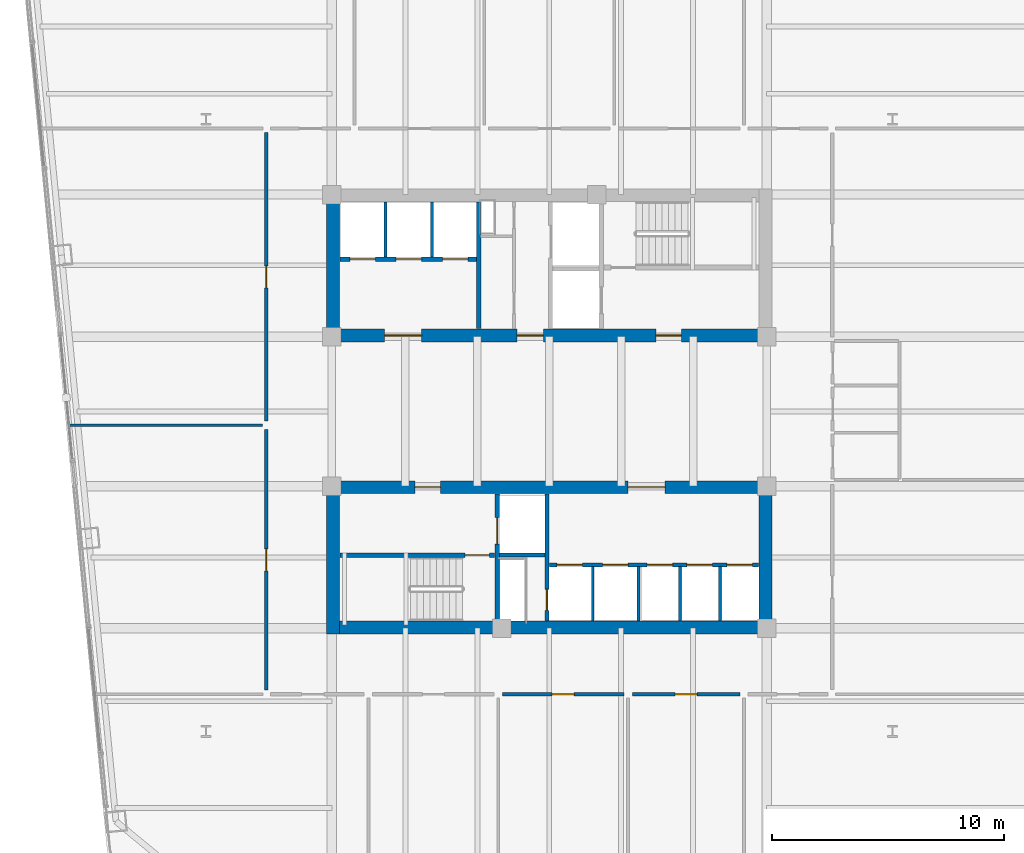
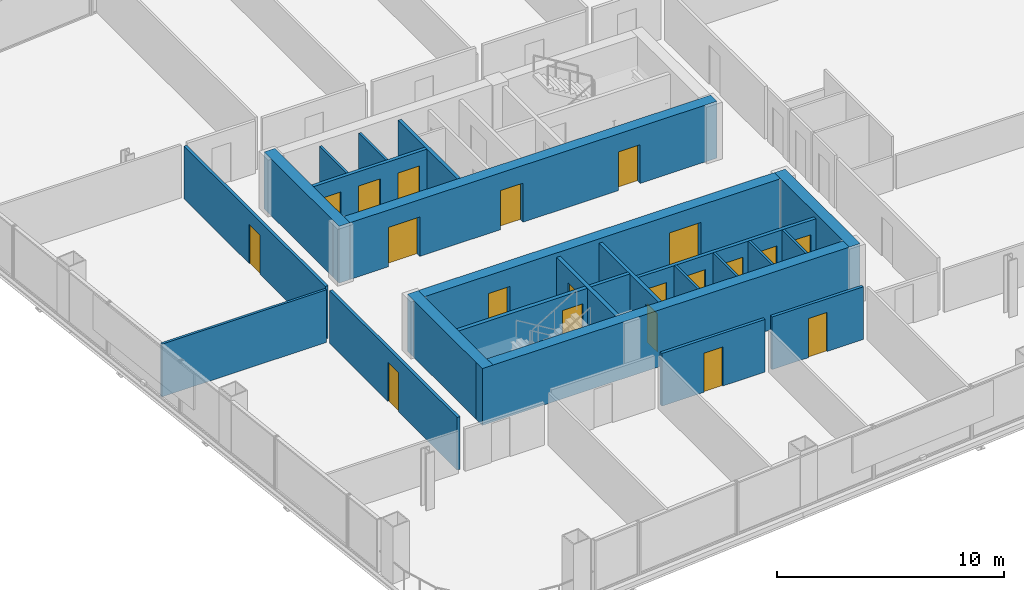
# One storey, part 22 of 27: 24 walls, 20 doors, 20 openings.
"""IFC4 building model written with IfcOpenShell, lengths in metres."""

from ifc_helpers import new_model, si_unit, direction, frame, frame_2d, origin, place, context, subcontext, project, spatial, rectangle, extrude, material, layer, layer_set, type_object, element, fill, save


model = new_model("IFC4")

# Units and contexts
model_context = context("Model", 3, precision=1e-05, world=origin(), true_north=direction((0.0, 1.0)))
body_context = subcontext(model_context, "Body", "Model", "MODEL_VIEW")
ifc_project = project(units=[si_unit("LENGTHUNIT", "METRE"), si_unit("AREAUNIT", "SQUARE_METRE"), si_unit("VOLUMEUNIT", "CUBIC_METRE"), si_unit("PLANEANGLEUNIT", "RADIAN"), si_unit("MASSUNIT", "GRAM", prefix="KILO")], contexts=[model_context])

# Site, building, storey
site_placement = place(None, origin())
site = spatial("IfcSite", under=ifc_project, at=site_placement, CompositionType="ELEMENT")
building_placement = place(site_placement, origin())
building = spatial("IfcBuilding", under=site, at=building_placement, Name="Qhalaya Broadcast Tower", CompositionType="ELEMENT")
storey_placement = place(building_placement, frame((0.0, 0.0, 84.699951171875)))
storey = spatial("IfcBuildingStorey", under=building, at=storey_placement, Name="L24", CompositionType="ELEMENT", Elevation=84.699951171875)

# Wall, opening, door
ifc_material_1 = material(Name="Gypsum Acoustic Partition")
ifc_layer_1 = layer(ifc_material_1, 0.14990234375, Name="Gypsum Acoustic Partition")
ifc_layer_set_1 = layer_set([ifc_layer_1], Name="Gypsum Acoustic Partition")
wall_type_1 = type_object("IfcWallType", Name="Corridor & Tenancy Acoustic Partition 150", PredefinedType="PARTITIONING", material=ifc_layer_set_1)
wall_1_placement = place(storey_placement, frame((-2.02001953125, -11.60009765625, 0.0), z_axis=(0.0, 0.0, 1.0), x_axis=(1.0, 0.0, 0.0)))
wall_1 = element("IfcWall", 1, at=wall_1_placement, inside=storey, type_object=wall_type_1, Name="L24 Partition Wall W-COR-08", PredefinedType="PARTITIONING", context=body_context, shape_type="SweptSolid", body=[
    extrude(rectangle(XDim=5.239990234375, YDim=0.14990234375, at=frame_2d((2.6201171875, 0.0))), origin(), (0.0, 0.0, 1.0), 2.830078125),
])
opening_1_placement = place(wall_1_placement, frame((2.14501953125, 0.0, 0.0)))
opening_1 = element("IfcOpeningElement", 2, at=opening_1_placement, cuts=wall_1, Name="Opening D10", PredefinedType="OPENING", context=body_context, shape_type="SweptSolid", body=[
    extrude(rectangle(XDim=0.949951171875, YDim=2.10009765625, at=frame_2d((0.47509765625, 1.050048828125))), frame((0.0, 0.0869140625, 0.0), z_axis=(0.0, -1.0, 0.0), x_axis=(1.0, 0.0, 0.0)), (0.0, 0.0, 1.0), 0.173828125),
])
ifc_material_2 = material(Name="Timber Veneer Acoustic Door", Category="wood")
door_type_1 = type_object("IfcDoorType", Name="Cellular Office & Edit Booth Door D10", OperationType="NOTDEFINED", PredefinedType="DOOR", material=ifc_material_2)
door_1_placement = place(opening_1_placement, origin())
door_1 = element("IfcDoor", 3, at=door_1_placement, inside=storey, type_object=door_type_1, Name="L24 Door D-RM08", OperationType="SINGLE_SWING_LEFT", OverallHeight=2.10009765625, OverallWidth=0.949951171875, PredefinedType="DOOR", context=body_context, shape_type="SweptSolid", body=[
    extrude(rectangle(XDim=0.949951171875, YDim=2.10009765625, at=frame_2d((0.47509765625, 1.050048828125))), frame((0.0, 0.02490234375, 0.0), z_axis=(0.0, -1.0, 0.0), x_axis=(1.0, 0.0, 0.0)), (0.0, 0.0, 1.0), 0.050048828125),
])
fill(opening_1, door_1)

wall_2_placement = place(storey_placement, frame((3.580078125, -11.60009765625, 0.0), z_axis=(0.0, 0.0, 1.0), x_axis=(1.0, 0.0, 0.0)))
wall_2 = element("IfcWall", 4, at=wall_2_placement, inside=storey, type_object=wall_type_1, Name="L24 Partition Wall W-COR-09", PredefinedType="PARTITIONING", context=body_context, shape_type="SweptSolid", body=[
    extrude(rectangle(XDim=4.639892578125, YDim=0.14990234375, at=frame_2d((2.31982421875, 0.0))), origin(), (0.0, 0.0, 1.0), 2.830078125),
])
opening_2_placement = place(wall_2_placement, frame((1.844970703125, 0.0, 0.0)))
opening_2 = element("IfcOpeningElement", 5, at=opening_2_placement, cuts=wall_2, Name="Opening D10", PredefinedType="OPENING", context=body_context, shape_type="SweptSolid", body=[
    extrude(rectangle(XDim=0.949951171875, YDim=2.10009765625, at=frame_2d((0.47509765625, 1.050048828125))), frame((0.0, 0.0869140625, 0.0), z_axis=(0.0, -1.0, 0.0), x_axis=(1.0, 0.0, 0.0)), (0.0, 0.0, 1.0), 0.173828125),
])
door_2_placement = place(opening_2_placement, origin())
door_2 = element("IfcDoor", 6, at=door_2_placement, inside=storey, type_object=door_type_1, Name="L24 Door D-RM09", OperationType="SINGLE_SWING_RIGHT", OverallHeight=2.10009765625, OverallWidth=0.949951171875, PredefinedType="DOOR", context=body_context, shape_type="SweptSolid", body=[
    extrude(rectangle(XDim=0.949951171875, YDim=2.10009765625, at=frame_2d((0.47509765625, 1.050048828125))), frame((0.0, 0.02490234375, 0.0), z_axis=(0.0, -1.0, 0.0), x_axis=(1.0, 0.0, 0.0)), (0.0, 0.0, 1.0), 0.050048828125),
])
fill(opening_2, door_2)

wall_3_placement = place(storey_placement, frame((-12.199951171875, -11.419921875, 0.0), z_axis=(0.0, 0.0, 1.0), x_axis=(0.0, 1.0, 0.0)))
wall_3 = element("IfcWall", 7, at=wall_3_placement, inside=storey, type_object=wall_type_1, Name="L24 Partition Wall W-COR-11", PredefinedType="PARTITIONING", context=body_context, shape_type="SweptSolid", body=[
    extrude(rectangle(XDim=11.239990234375, YDim=0.14990234375, at=frame_2d((5.6201171875, 0.0))), origin(), (0.0, 0.0, 1.0), 2.830078125),
])
opening_3_placement = place(wall_3_placement, frame((5.14501953125, 0.0, 0.0)))
opening_3 = element("IfcOpeningElement", 8, at=opening_3_placement, cuts=wall_3, Name="Opening D10", PredefinedType="OPENING", context=body_context, shape_type="SweptSolid", body=[
    extrude(rectangle(XDim=0.949951171875, YDim=2.10009765625, at=frame_2d((0.47509765625, 1.050048828125))), frame((0.0, 0.0869140625, 0.0), z_axis=(0.0, -1.0, 0.0), x_axis=(1.0, 0.0, 0.0)), (0.0, 0.0, 1.0), 0.173828125),
])
door_3_placement = place(opening_3_placement, origin())
door_3 = element("IfcDoor", 9, at=door_3_placement, inside=storey, type_object=door_type_1, Name="L24 Door D-RM11", OperationType="SINGLE_SWING_RIGHT", OverallHeight=2.10009765625, OverallWidth=0.949951171875, PredefinedType="DOOR", context=body_context, shape_type="SweptSolid", body=[
    extrude(rectangle(XDim=0.949951171875, YDim=2.10009765625, at=frame_2d((0.47509765625, 1.050048828125))), frame((0.0, 0.02490234375, 0.0), z_axis=(0.0, -1.0, 0.0), x_axis=(1.0, 0.0, 0.0)), (0.0, 0.0, 1.0), 0.050048828125),
])
fill(opening_3, door_3)

wall_4_placement = place(storey_placement, frame((-12.199951171875, 0.179931640625, 0.0), z_axis=(0.0, 0.0, 1.0), x_axis=(0.0, 1.0, 0.0)))
wall_4 = element("IfcWall", 10, at=wall_4_placement, inside=storey, type_object=wall_type_1, Name="L24 Partition Wall W-COR-12", PredefinedType="PARTITIONING", context=body_context, shape_type="SweptSolid", body=[
    extrude(rectangle(XDim=12.440185546875, YDim=0.14990234375, at=frame_2d((6.22021484375, 0.0))), origin(), (0.0, 0.0, 1.0), 2.830078125),
])
opening_4_placement = place(wall_4_placement, frame((5.7451171875, 0.0, 0.0)))
opening_4 = element("IfcOpeningElement", 11, at=opening_4_placement, cuts=wall_4, Name="Opening D10", PredefinedType="OPENING", context=body_context, shape_type="SweptSolid", body=[
    extrude(rectangle(XDim=0.949951171875, YDim=2.10009765625, at=frame_2d((0.47509765625, 1.050048828125))), frame((0.0, 0.0869140625, 0.0), z_axis=(0.0, -1.0, 0.0), x_axis=(1.0, 0.0, 0.0)), (0.0, 0.0, 1.0), 0.173828125),
])
door_4_placement = place(opening_4_placement, origin())
door_4 = element("IfcDoor", 12, at=door_4_placement, inside=storey, type_object=door_type_1, Name="L24 Door D-RM12", OperationType="SINGLE_SWING_LEFT", OverallHeight=2.10009765625, OverallWidth=0.949951171875, PredefinedType="DOOR", context=body_context, shape_type="SweptSolid", body=[
    extrude(rectangle(XDim=0.949951171875, YDim=2.10009765625, at=frame_2d((0.47509765625, 1.050048828125))), frame((0.0, 0.02490234375, 0.0), z_axis=(0.0, -1.0, 0.0), x_axis=(1.0, 0.0, 0.0)), (0.0, 0.0, 1.0), 0.050048828125),
])
fill(opening_4, door_4)

ifc_material_3 = material(Name="Concrete C50/60", Category="concrete")
ifc_layer_2 = layer(ifc_material_3, 0.199951171875, Name="Concrete C50/60")
ifc_layer_set_2 = layer_set([ifc_layer_2], Name="Concrete C50/60")
wall_type_2 = type_object("IfcWallType", Name="Load-Bearing Stair Shaft Wall 200", PredefinedType="SHEAR", material=ifc_layer_set_2)
wall_5_placement = place(storey_placement, frame((-9.030029296875, -5.60498046875, 0.0), z_axis=(0.0, 0.0, 1.0), x_axis=(1.0, 0.0, 0.0)))
wall_5 = element("IfcWall", 13, at=wall_5_placement, inside=storey, type_object=wall_type_2, Name="L24 Stair Core Shear Wall SCW-ST2", PredefinedType="SHEAR", context=body_context, shape_type="SweptSolid", body=[
    extrude(rectangle(XDim=6.669921875, YDim=0.199951171875, at=frame_2d((3.3349609375, 0.0))), origin(), (0.0, 0.0, 1.0), 2.830078125),
])
opening_5_placement = place(wall_5_placement, frame((5.39990234375, 0.0, 0.0)))
opening_5 = element("IfcOpeningElement", 14, at=opening_5_placement, cuts=wall_5, Name="Opening D03", PredefinedType="OPENING", context=body_context, shape_type="SweptSolid", body=[
    extrude(rectangle(XDim=1.050048828125, YDim=2.080078125, at=frame_2d((0.52490234375, 1.0400390625))), frame((0.0, 0.112060546875, 0.0), z_axis=(0.0, -1.0, 0.0), x_axis=(1.0, 0.0, 0.0)), (0.0, 0.0, 1.0), 0.223876953125),
])
ifc_material_4 = material(Name="Fire-Rated Steel Door", Category="steel")
door_type_2 = type_object("IfcDoorType", Name="Core Stair Protected Fire Door D03", OperationType="NOTDEFINED", PredefinedType="DOOR", material=ifc_material_4)
door_5_placement = place(opening_5_placement, origin())
door_5 = element("IfcDoor", 15, at=door_5_placement, inside=storey, type_object=door_type_2, Name="L24 Door D-SST2", OperationType="SINGLE_SWING_RIGHT", OverallHeight=2.080078125, OverallWidth=1.050048828125, PredefinedType="DOOR", context=body_context, shape_type="SweptSolid", body=[
    extrude(rectangle(XDim=1.050048828125, YDim=2.080078125, at=frame_2d((0.52490234375, 1.0400390625))), frame((0.0, 0.02490234375, 0.0), z_axis=(0.0, -1.0, 0.0), x_axis=(1.0, 0.0, 0.0)), (0.0, 0.0, 1.0), 0.050048828125),
])
fill(opening_5, door_5)

wall_6_placement = place(storey_placement, frame((-2.25, -8.429931640625, 0.0), z_axis=(0.0, 0.0, 1.0), x_axis=(0.0, 1.0, 0.0)))
wall_6 = element("IfcWall", 16, at=wall_6_placement, inside=storey, type_object=wall_type_2, Name="L24 Stair Core Shear Wall SCW-FF", PredefinedType="SHEAR", context=body_context, shape_type="SweptSolid", body=[
    extrude(rectangle(XDim=5.4599609375, YDim=0.199951171875, at=frame_2d((2.72998046875, 0.0))), origin(), (0.0, 0.0, 1.0), 2.830078125),
])
opening_6_placement = place(wall_6_placement, frame((3.300048828125, 0.0, 0.0)))
opening_6 = element("IfcOpeningElement", 17, at=opening_6_placement, cuts=wall_6, Name="Opening LD2", PredefinedType="OPENING", context=body_context, shape_type="SweptSolid", body=[
    extrude(rectangle(XDim=1.14990234375, YDim=2.080078125, at=frame_2d((0.574951171875, 1.0400390625))), frame((0.0, 0.112060546875, 0.0), z_axis=(0.0, -1.0, 0.0), x_axis=(1.0, 0.0, 0.0)), (0.0, 0.0, 1.0), 0.223876953125),
])
ifc_material_5 = material(Name="Brushed Stainless Steel Lift Door", Category="steel")
door_type_3 = type_object("IfcDoorType", Name="Firefighting Lift Sliding Landing Door LD2", OperationType="DOUBLE_DOOR_SLIDING", PredefinedType="DOOR", material=ifc_material_5)
door_6_placement = place(opening_6_placement, origin())
door_6 = element("IfcDoor", 18, at=door_6_placement, inside=storey, type_object=door_type_3, Name="L24 Door LD-FF2", OperationType="DOUBLE_DOOR_SLIDING", OverallHeight=2.080078125, OverallWidth=1.14990234375, PredefinedType="DOOR", context=body_context, shape_type="SweptSolid", body=[
    extrude(rectangle(XDim=1.14990234375, YDim=2.080078125, at=frame_2d((0.574951171875, 1.0400390625))), frame((0.0, 0.02490234375, 0.0), z_axis=(0.0, -1.0, 0.0), x_axis=(1.0, 0.0, 0.0)), (0.0, 0.0, 1.0), 0.050048828125),
])
fill(opening_6, door_6)

# Wall, openings, doors
ifc_material_6 = material(Name="Concrete C60/75", Category="concrete")
ifc_layer_3 = layer(ifc_material_6, 0.550048828125, Name="Concrete C60/75")
ifc_layer_set_3 = layer_set([ifc_layer_3], Name="Concrete C60/75")
wall_type_3 = type_object("IfcWallType", Name="Lower Split-Core Shear Wall 550", PredefinedType="SHEAR", material=ifc_layer_set_3)
wall_7_placement = place(storey_placement, frame((-9.60009765625, 3.875, 0.0), z_axis=(0.0, 0.0, 1.0), x_axis=(1.0, 0.0, 0.0)))
wall_7 = element("IfcWall", 19, at=wall_7_placement, inside=storey, type_object=wall_type_3, Name="L24 Split-Core Shear Wall CW-NS", PredefinedType="SHEAR", context=body_context, shape_type="SweptSolid", body=[
    extrude(rectangle(XDim=19.2001953125, YDim=0.550048828125, at=frame_2d((9.60009765625, 0.0))), origin(), (0.0, 0.0, 1.0), 3.050048828125),
])
opening_7_placement = place(wall_7_placement, frame((14.199951171875, 0.0, 0.0)))
opening_7 = element("IfcOpeningElement", 20, at=opening_7_placement, cuts=wall_7, Name="Opening D04", PredefinedType="OPENING", context=body_context, shape_type="SweptSolid", body=[
    extrude(rectangle(XDim=1.10009765625, YDim=2.080078125, at=frame_2d((0.550048828125, 1.0400390625))), frame((0.0, 0.287109375, 0.0), z_axis=(0.0, -1.0, 0.0), x_axis=(1.0, 0.0, 0.0)), (0.0, 0.0, 1.0), 0.573974609375),
])
opening_8_placement = place(wall_7_placement, frame((8.199951171875, 0.0, 0.0)))
opening_8 = element("IfcOpeningElement", 21, at=opening_8_placement, cuts=wall_7, Name="Opening D05", PredefinedType="OPENING", context=body_context, shape_type="SweptSolid", body=[
    extrude(rectangle(XDim=1.14990234375, YDim=2.10009765625, at=frame_2d((0.574951171875, 1.050048828125))), frame((0.0, 0.287109375, 0.0), z_axis=(0.0, -1.0, 0.0), x_axis=(1.0, 0.0, 0.0)), (0.0, 0.0, 1.0), 0.573974609375),
])
opening_9_placement = place(wall_7_placement, frame((2.5, 0.0, 0.0)))
opening_9 = element("IfcOpeningElement", 22, at=opening_9_placement, cuts=wall_7, Name="Opening D07", PredefinedType="OPENING", context=body_context, shape_type="SweptSolid", body=[
    extrude(rectangle(XDim=1.60009765625, YDim=2.1201171875, at=frame_2d((0.800048828125, 1.06005859375))), frame((0.0, 0.287109375, 0.0), z_axis=(0.0, -1.0, 0.0), x_axis=(1.0, 0.0, 0.0)), (0.0, 0.0, 1.0), 0.573974609375),
])
door_type_4 = type_object("IfcDoorType", Name="Firefighting Lobby Rated Door D04", OperationType="NOTDEFINED", PredefinedType="DOOR", material=ifc_material_4)
door_7_placement = place(opening_7_placement, origin())
door_7 = element("IfcDoor", 23, at=door_7_placement, inside=storey, type_object=door_type_4, Name="L24 Door D-NFF", OperationType="SINGLE_SWING_RIGHT", OverallHeight=2.080078125, OverallWidth=1.10009765625, PredefinedType="DOOR", context=body_context, shape_type="SweptSolid", body=[
    extrude(rectangle(XDim=1.10009765625, YDim=2.080078125, at=frame_2d((0.550048828125, 1.0400390625))), frame((0.0, 0.02490234375, 0.0), z_axis=(0.0, -1.0, 0.0), x_axis=(1.0, 0.0, 0.0)), (0.0, 0.0, 1.0), 0.050048828125),
])
fill(opening_7, door_7)
ifc_material_7 = material(Name="Anodised Aluminium Glazed Door", Category="aluminium")
door_type_5 = type_object("IfcDoorType", Name="Passenger Lift Lobby Double Glazed Door D07", OperationType="DOUBLE_DOOR_SINGLE_SWING", PredefinedType="DOOR", material=ifc_material_7)
door_8_placement = place(opening_9_placement, origin())
door_8 = element("IfcDoor", 24, at=door_8_placement, inside=storey, type_object=door_type_5, Name="L24 Door D-NPLL", OperationType="DOUBLE_DOOR_SINGLE_SWING", OverallHeight=2.1201171875, OverallWidth=1.60009765625, PredefinedType="DOOR", context=body_context, shape_type="SweptSolid", body=[
    extrude(rectangle(XDim=1.60009765625, YDim=2.1201171875, at=frame_2d((0.800048828125, 1.06005859375))), frame((0.0, 0.02490234375, 0.0), z_axis=(0.0, -1.0, 0.0), x_axis=(1.0, 0.0, 0.0)), (0.0, 0.0, 1.0), 0.050048828125),
])
fill(opening_9, door_8)
door_type_6 = type_object("IfcDoorType", Name="Refuge & Plant Room Fire Door D05", OperationType="NOTDEFINED", PredefinedType="DOOR", material=ifc_material_4)
door_9_placement = place(opening_8_placement, origin())
door_9 = element("IfcDoor", 25, at=door_9_placement, inside=storey, type_object=door_type_6, Name="L24 Door D-NSVL", OperationType="SINGLE_SWING_LEFT", OverallHeight=2.10009765625, OverallWidth=1.14990234375, PredefinedType="DOOR", context=body_context, shape_type="SweptSolid", body=[
    extrude(rectangle(XDim=1.14990234375, YDim=2.10009765625, at=frame_2d((0.574951171875, 1.050048828125))), frame((0.0, 0.02490234375, 0.0), z_axis=(0.0, -1.0, 0.0), x_axis=(1.0, 0.0, 0.0)), (0.0, 0.0, 1.0), 0.050048828125),
])
fill(opening_8, door_9)

# Walls
wall_8_placement = place(storey_placement, frame((-9.324951171875, 3.60009765625, 0.0), z_axis=(0.0, 0.0, 1.0), x_axis=(0.0, 1.0, 0.0)))
element("IfcWall", 26, at=wall_8_placement, inside=storey, type_object=wall_type_3, Name="L24 Split-Core Shear Wall CW-NW", PredefinedType="SHEAR", context=body_context, shape_type="SweptSolid", body=[
    extrude(rectangle(XDim=6.599853515625, YDim=0.550048828125, at=frame_2d((3.2998046875, 0.0))), origin(), (0.0, 0.0, 1.0), 3.050048828125),
])
wall_9_placement = place(storey_placement, frame((-9.60009765625, -8.72509765625, 0.0), z_axis=(0.0, 0.0, 1.0), x_axis=(1.0, 0.0, 0.0)))
element("IfcWall", 27, at=wall_9_placement, inside=storey, type_object=wall_type_3, Name="L24 Split-Core Shear Wall CW-SS", PredefinedType="SHEAR", context=body_context, shape_type="SweptSolid", body=[
    extrude(rectangle(XDim=19.2001953125, YDim=0.550048828125, at=frame_2d((9.60009765625, 0.0))), origin(), (0.0, 0.0, 1.0), 3.050048828125),
])

# Wall, openings, doors
wall_10_placement = place(storey_placement, frame((-9.60009765625, -2.675048828125, 0.0), z_axis=(0.0, 0.0, 1.0), x_axis=(1.0, 0.0, 0.0)))
wall_10 = element("IfcWall", 28, at=wall_10_placement, inside=storey, type_object=wall_type_3, Name="L24 Split-Core Shear Wall CW-SN", PredefinedType="SHEAR", context=body_context, shape_type="SweptSolid", body=[
    extrude(rectangle(XDim=19.2001953125, YDim=0.550048828125, at=frame_2d((9.60009765625, 0.0))), origin(), (0.0, 0.0, 1.0), 3.050048828125),
])
opening_10_placement = place(wall_10_placement, frame((3.800048828125, 0.0, 0.0)))
opening_10 = element("IfcOpeningElement", 29, at=opening_10_placement, cuts=wall_10, Name="Opening D04", PredefinedType="OPENING", context=body_context, shape_type="SweptSolid", body=[
    extrude(rectangle(XDim=1.10009765625, YDim=2.080078125, at=frame_2d((0.550048828125, 1.0400390625))), frame((0.0, 0.287109375, 0.0), z_axis=(0.0, -1.0, 0.0), x_axis=(1.0, 0.0, 0.0)), (0.0, 0.0, 1.0), 0.573974609375),
])
opening_11_placement = place(wall_10_placement, frame((13.0, 0.0, 0.0)))
opening_11 = element("IfcOpeningElement", 30, at=opening_11_placement, cuts=wall_10, Name="Opening D07", PredefinedType="OPENING", context=body_context, shape_type="SweptSolid", body=[
    extrude(rectangle(XDim=1.60009765625, YDim=2.1201171875, at=frame_2d((0.800048828125, 1.06005859375))), frame((0.0, 0.287109375, 0.0), z_axis=(0.0, -1.0, 0.0), x_axis=(1.0, 0.0, 0.0)), (0.0, 0.0, 1.0), 0.573974609375),
])
door_10_placement = place(opening_10_placement, origin())
door_10 = element("IfcDoor", 31, at=door_10_placement, inside=storey, type_object=door_type_4, Name="L24 Door D-SFF", OperationType="SINGLE_SWING_LEFT", OverallHeight=2.080078125, OverallWidth=1.10009765625, PredefinedType="DOOR", context=body_context, shape_type="SweptSolid", body=[
    extrude(rectangle(XDim=1.10009765625, YDim=2.080078125, at=frame_2d((0.550048828125, 1.0400390625))), frame((0.0, 0.02490234375, 0.0), z_axis=(0.0, -1.0, 0.0), x_axis=(1.0, 0.0, 0.0)), (0.0, 0.0, 1.0), 0.050048828125),
])
fill(opening_10, door_10)
door_11_placement = place(opening_11_placement, origin())
door_11 = element("IfcDoor", 32, at=door_11_placement, inside=storey, type_object=door_type_5, Name="L24 Door D-SPLL", OperationType="DOUBLE_DOOR_SINGLE_SWING", OverallHeight=2.1201171875, OverallWidth=1.60009765625, PredefinedType="DOOR", context=body_context, shape_type="SweptSolid", body=[
    extrude(rectangle(XDim=1.60009765625, YDim=2.1201171875, at=frame_2d((0.800048828125, 1.06005859375))), frame((0.0, 0.02490234375, 0.0), z_axis=(0.0, -1.0, 0.0), x_axis=(1.0, 0.0, 0.0)), (0.0, 0.0, 1.0), 0.050048828125),
])
fill(opening_11, door_11)

# Walls
for number, where, z_axis, x_axis, name in (
    (33, (-9.324951171875, -9.0, 0.0), (0.0, 0.0, 1.0), (0.0, 1.0, 0.0), "L24 Split-Core Shear Wall CW-SW"),
    (34, (9.324951171875, -9.0, 0.0), (0.0, 0.0, 1.0), (0.0, 1.0, 0.0), "L24 Split-Core Shear Wall CW-SE"),
):
    element("IfcWall", number, at=place(storey_placement, frame(where, z_axis=z_axis, x_axis=x_axis)), inside=storey, type_object=wall_type_3, Name=name, PredefinedType="SHEAR", context=body_context, shape_type="SweptSolid", body=[
        extrude(rectangle(XDim=6.60009765625, YDim=0.550048828125, at=frame_2d((3.300048828125, 0.0))), origin(), (0.0, 0.0, 1.0), 3.050048828125),
    ])
ifc_layer_4 = layer(ifc_material_1, 0.1201171875, Name="Gypsum Acoustic Partition")
ifc_layer_set_4 = layer_set([ifc_layer_4], Name="Gypsum Acoustic Partition")
wall_type_4 = type_object("IfcWallType", Name="Office, Booth & Sanitary Partition 120", PredefinedType="PARTITIONING", material=ifc_layer_set_4)
for number, where, z_axis, x_axis, name in (
    (35, (-7.06005859375, 7.25, 0.0), (0.0, 0.0, 1.0), (0.0, 1.0, 0.0), "L24 Partition Wall NCW-PD1"),
    (36, (-5.06005859375, 7.25, 0.0), (0.0, 0.0, 1.0), (0.0, 1.0, 0.0), "L24 Partition Wall NCW-PD2"),
):
    element("IfcWall", number, at=place(storey_placement, frame(where, z_axis=z_axis, x_axis=x_axis)), inside=storey, type_object=wall_type_4, Name=name, PredefinedType="PARTITIONING", context=body_context, shape_type="SweptSolid", body=[
        extrude(rectangle(XDim=2.3798828125, YDim=0.1201171875, at=frame_2d((1.18994140625, 0.0))), origin(), (0.0, 0.0, 1.0), 2.830078125),
    ])
for number, where, z_axis, x_axis, name in (
    (37, (1.8798828125, -8.429931640625, 0.0), (0.0, 0.0, 1.0), (0.0, 1.0, 0.0), "L24 Partition Wall SCW-MD4"),
    (38, (3.85009765625, -8.429931640625, 0.0), (0.0, 0.0, 1.0), (0.0, 1.0, 0.0), "L24 Partition Wall SCW-MD5"),
    (39, (5.639892578125, -8.429931640625, 0.0), (0.0, 0.0, 1.0), (0.0, 1.0, 0.0), "L24 Partition Wall SCW-HD6"),
    (40, (7.360107421875, -8.429931640625, 0.0), (0.0, 0.0, 1.0), (0.0, 1.0, 0.0), "L24 Partition Wall SCW-HD7"),
):
    element("IfcWall", number, at=place(storey_placement, frame(where, z_axis=z_axis, x_axis=x_axis)), inside=storey, type_object=wall_type_4, Name=name, PredefinedType="PARTITIONING", context=body_context, shape_type="SweptSolid", body=[
        extrude(rectangle(XDim=2.329833984375, YDim=0.1201171875, at=frame_2d((1.1650390625, 0.0))), origin(), (0.0, 0.0, 1.0), 2.830078125),
    ])
wall_11_placement = place(storey_placement, frame((-20.71240234375, 0.0, 0.0), z_axis=(0.0, 0.0, 1.0), x_axis=(1.0, 0.0, 0.0)))
element("IfcWall", 41, at=wall_11_placement, inside=storey, type_object=wall_type_4, Name="L24 Partition Wall W-DIVW1", PredefinedType="PARTITIONING", context=body_context, shape_type="SweptSolid", body=[
    extrude(rectangle(XDim=8.352294921875, YDim=0.1201171875, at=frame_2d((4.17626953125, 0.0))), origin(), (0.0, 0.0, 1.0), 2.830078125),
])
ifc_layer_5 = layer(ifc_material_1, 0.175048828125, Name="Gypsum Acoustic Partition")
ifc_layer_set_5 = layer_set([ifc_layer_5], Name="Gypsum Acoustic Partition")
wall_type_5 = type_object("IfcWallType", Name="Shaft & Riser Fire Partition 175", PredefinedType="PARTITIONING", material=ifc_layer_set_5)
wall_12_placement = place(storey_placement, frame((-3.0400390625, 4.169921875, 0.0), z_axis=(0.0, 0.0, 1.0), x_axis=(0.0, 1.0, 0.0)))
element("IfcWall", 42, at=wall_12_placement, inside=storey, type_object=wall_type_5, Name="L24 Partition Wall NCW-VRW", PredefinedType="PARTITIONING", context=body_context, shape_type="SweptSolid", body=[
    extrude(rectangle(XDim=5.4599609375, YDim=0.175048828125, at=frame_2d((2.72998046875, 0.0))), origin(), (0.0, 0.0, 1.0), 2.830078125),
])

# Wall, openings, doors
wall_13_placement = place(storey_placement, frame((-9.030029296875, 7.159912109375, 0.0), z_axis=(0.0, 0.0, 1.0), x_axis=(1.0, 0.0, 0.0)))
wall_13 = element("IfcWall", 43, at=wall_13_placement, inside=storey, type_object=wall_type_5, Name="L24 Partition Wall NCW-PLB", PredefinedType="PARTITIONING", context=body_context, shape_type="SweptSolid", body=[
    extrude(rectangle(XDim=5.909912109375, YDim=0.175048828125, at=frame_2d((2.955078125, 0.0))), origin(), (0.0, 0.0, 1.0), 2.830078125),
])
opening_12_placement = place(wall_13_placement, frame((0.429931640625, 0.0, 0.0)))
opening_12 = element("IfcOpeningElement", 44, at=opening_12_placement, cuts=wall_13, Name="Opening LD1", PredefinedType="OPENING", context=body_context, shape_type="SweptSolid", body=[
    extrude(rectangle(XDim=1.10009765625, YDim=2.06005859375, at=frame_2d((0.550048828125, 1.030029296875))), frame((0.0, 0.099609375, 0.0), z_axis=(0.0, -1.0, 0.0), x_axis=(1.0, 0.0, 0.0)), (0.0, 0.0, 1.0), 0.198974609375),
])
opening_13_placement = place(wall_13_placement, frame((2.429931640625, 0.0, 0.0)))
opening_13 = element("IfcOpeningElement", 45, at=opening_13_placement, cuts=wall_13, Name="Opening LD1", PredefinedType="OPENING", context=body_context, shape_type="SweptSolid", body=[
    extrude(rectangle(XDim=1.10009765625, YDim=2.06005859375, at=frame_2d((0.550048828125, 1.030029296875))), frame((0.0, 0.099609375, 0.0), z_axis=(0.0, -1.0, 0.0), x_axis=(1.0, 0.0, 0.0)), (0.0, 0.0, 1.0), 0.198974609375),
])
opening_14_placement = place(wall_13_placement, frame((4.429931640625, 0.0, 0.0)))
opening_14 = element("IfcOpeningElement", 46, at=opening_14_placement, cuts=wall_13, Name="Opening LD1", PredefinedType="OPENING", context=body_context, shape_type="SweptSolid", body=[
    extrude(rectangle(XDim=1.10009765625, YDim=2.06005859375, at=frame_2d((0.550048828125, 1.030029296875))), frame((0.0, 0.099609375, 0.0), z_axis=(0.0, -1.0, 0.0), x_axis=(1.0, 0.0, 0.0)), (0.0, 0.0, 1.0), 0.198974609375),
])
door_type_7 = type_object("IfcDoorType", Name="Passenger Lift Sliding Landing Door LD1", OperationType="DOUBLE_DOOR_SLIDING", PredefinedType="DOOR", material=ifc_material_5)
door_12_placement = place(opening_12_placement, origin())
door_12 = element("IfcDoor", 47, at=door_12_placement, inside=storey, type_object=door_type_7, Name="L24 Door LD-P1", OperationType="DOUBLE_DOOR_SLIDING", OverallHeight=2.06005859375, OverallWidth=1.10009765625, PredefinedType="DOOR", context=body_context, shape_type="SweptSolid", body=[
    extrude(rectangle(XDim=1.10009765625, YDim=2.06005859375, at=frame_2d((0.550048828125, 1.030029296875))), frame((0.0, 0.02490234375, 0.0), z_axis=(0.0, -1.0, 0.0), x_axis=(1.0, 0.0, 0.0)), (0.0, 0.0, 1.0), 0.050048828125),
])
fill(opening_12, door_12)
door_13_placement = place(opening_13_placement, origin())
door_13 = element("IfcDoor", 48, at=door_13_placement, inside=storey, type_object=door_type_7, Name="L24 Door LD-P2", OperationType="DOUBLE_DOOR_SLIDING", OverallHeight=2.06005859375, OverallWidth=1.10009765625, PredefinedType="DOOR", context=body_context, shape_type="SweptSolid", body=[
    extrude(rectangle(XDim=1.10009765625, YDim=2.06005859375, at=frame_2d((0.550048828125, 1.030029296875))), frame((0.0, 0.02490234375, 0.0), z_axis=(0.0, -1.0, 0.0), x_axis=(1.0, 0.0, 0.0)), (0.0, 0.0, 1.0), 0.050048828125),
])
fill(opening_13, door_13)
door_14_placement = place(opening_14_placement, origin())
door_14 = element("IfcDoor", 49, at=door_14_placement, inside=storey, type_object=door_type_7, Name="L24 Door LD-P3", OperationType="DOUBLE_DOOR_SLIDING", OverallHeight=2.06005859375, OverallWidth=1.10009765625, PredefinedType="DOOR", context=body_context, shape_type="SweptSolid", body=[
    extrude(rectangle(XDim=1.10009765625, YDim=2.06005859375, at=frame_2d((0.550048828125, 1.030029296875))), frame((0.0, 0.02490234375, 0.0), z_axis=(0.0, -1.0, 0.0), x_axis=(1.0, 0.0, 0.0)), (0.0, 0.0, 1.0), 0.050048828125),
])
fill(opening_14, door_14)

# Wall, opening, door
wall_14_placement = place(storey_placement, frame((-0.10009765625, -8.429931640625, 0.0), z_axis=(0.0, 0.0, 1.0), x_axis=(0.0, 1.0, 0.0)))
wall_14 = element("IfcWall", 50, at=wall_14_placement, inside=storey, type_object=wall_type_5, Name="L24 Partition Wall SCW-FFE", PredefinedType="PARTITIONING", context=body_context, shape_type="SweptSolid", body=[
    extrude(rectangle(XDim=5.4599609375, YDim=0.175048828125, at=frame_2d((2.72998046875, 0.0))), origin(), (0.0, 0.0, 1.0), 2.830078125),
])
opening_15_placement = place(wall_14_placement, frame((0.449951171875, 0.0, 0.0)))
opening_15 = element("IfcOpeningElement", 51, at=opening_15_placement, cuts=wall_14, Name="Opening D06", PredefinedType="OPENING", context=body_context, shape_type="SweptSolid", body=[
    extrude(rectangle(XDim=0.89990234375, YDim=2.050048828125, at=frame_2d((0.449951171875, 1.02490234375))), frame((0.0, 0.099609375, 0.0), z_axis=(0.0, -1.0, 0.0), x_axis=(1.0, 0.0, 0.0)), (0.0, 0.0, 1.0), 0.198974609375),
])
door_type_8 = type_object("IfcDoorType", Name="Riser & Electrical Shaft Access Door D06", OperationType="NOTDEFINED", PredefinedType="DOOR", material=ifc_material_4)
door_15_placement = place(opening_15_placement, origin())
door_15 = element("IfcDoor", 52, at=door_15_placement, inside=storey, type_object=door_type_8, Name="L24 Riser Shaft Access Door D-SRSR", OperationType="SINGLE_SWING_LEFT", OverallHeight=2.050048828125, OverallWidth=0.89990234375, PredefinedType="DOOR", context=body_context, shape_type="SweptSolid", body=[
    extrude(rectangle(XDim=0.89990234375, YDim=2.050048828125, at=frame_2d((0.449951171875, 1.02490234375))), frame((0.0, 0.02490234375, 0.0), z_axis=(0.0, -1.0, 0.0), x_axis=(1.0, 0.0, 0.0)), (0.0, 0.0, 1.0), 0.050048828125),
])
fill(opening_15, door_15)

# Wall
wall_15_placement = place(storey_placement, frame((-2.14990234375, -5.60009765625, 0.0), z_axis=(0.0, 0.0, 1.0), x_axis=(1.0, 0.0, 0.0)))
element("IfcWall", 53, at=wall_15_placement, inside=storey, type_object=wall_type_5, Name="L24 Partition Wall SCW-FFM", PredefinedType="PARTITIONING", context=body_context, shape_type="SweptSolid", body=[
    extrude(rectangle(XDim=1.969970703125, YDim=0.175048828125, at=frame_2d((0.98486328125, 0.0))), origin(), (0.0, 0.0, 1.0), 2.830078125),
])

# Wall, openings, doors
wall_16_placement = place(storey_placement, frame((0.0, -6.02001953125, 0.0), z_axis=(0.0, 0.0, 1.0), x_axis=(1.0, 0.0, 0.0)))
wall_16 = element("IfcWall", 54, at=wall_16_placement, inside=storey, type_object=wall_type_5, Name="L24 Partition Wall SCW-SLB", PredefinedType="PARTITIONING", context=body_context, shape_type="SweptSolid", body=[
    extrude(rectangle(XDim=9.030029296875, YDim=0.175048828125, at=frame_2d((4.51513671875, 0.0))), origin(), (0.0, 0.0, 1.0), 2.830078125),
])
opening_16_placement = place(wall_16_placement, frame((0.330078125, 0.0, 0.0)))
opening_16 = element("IfcOpeningElement", 55, at=opening_16_placement, cuts=wall_16, Name="Opening LD1", PredefinedType="OPENING", context=body_context, shape_type="SweptSolid", body=[
    extrude(rectangle(XDim=1.10009765625, YDim=2.06005859375, at=frame_2d((0.550048828125, 1.030029296875))), frame((0.0, 0.099609375, 0.0), z_axis=(0.0, -1.0, 0.0), x_axis=(1.0, 0.0, 0.0)), (0.0, 0.0, 1.0), 0.198974609375),
])
opening_17_placement = place(wall_16_placement, frame((2.300048828125, 0.0, 0.0)))
opening_17 = element("IfcOpeningElement", 56, at=opening_17_placement, cuts=wall_16, Name="Opening LD1", PredefinedType="OPENING", context=body_context, shape_type="SweptSolid", body=[
    extrude(rectangle(XDim=1.10009765625, YDim=2.06005859375, at=frame_2d((0.550048828125, 1.030029296875))), frame((0.0, 0.099609375, 0.0), z_axis=(0.0, -1.0, 0.0), x_axis=(1.0, 0.0, 0.0)), (0.0, 0.0, 1.0), 0.198974609375),
])
opening_18_placement = place(wall_16_placement, frame((4.219970703125, 0.0, 0.0)))
opening_18 = element("IfcOpeningElement", 57, at=opening_18_placement, cuts=wall_16, Name="Opening LD1", PredefinedType="OPENING", context=body_context, shape_type="SweptSolid", body=[
    extrude(rectangle(XDim=1.10009765625, YDim=2.06005859375, at=frame_2d((0.550048828125, 1.030029296875))), frame((0.0, 0.099609375, 0.0), z_axis=(0.0, -1.0, 0.0), x_axis=(1.0, 0.0, 0.0)), (0.0, 0.0, 1.0), 0.198974609375),
])
opening_19_placement = place(wall_16_placement, frame((5.93994140625, 0.0, 0.0)))
opening_19 = element("IfcOpeningElement", 58, at=opening_19_placement, cuts=wall_16, Name="Opening LD1", PredefinedType="OPENING", context=body_context, shape_type="SweptSolid", body=[
    extrude(rectangle(XDim=1.10009765625, YDim=2.06005859375, at=frame_2d((0.550048828125, 1.030029296875))), frame((0.0, 0.099609375, 0.0), z_axis=(0.0, -1.0, 0.0), x_axis=(1.0, 0.0, 0.0)), (0.0, 0.0, 1.0), 0.198974609375),
])
opening_20_placement = place(wall_16_placement, frame((7.659912109375, 0.0, 0.0)))
opening_20 = element("IfcOpeningElement", 59, at=opening_20_placement, cuts=wall_16, Name="Opening LD1", PredefinedType="OPENING", context=body_context, shape_type="SweptSolid", body=[
    extrude(rectangle(XDim=1.10009765625, YDim=2.06005859375, at=frame_2d((0.550048828125, 1.030029296875))), frame((0.0, 0.099609375, 0.0), z_axis=(0.0, -1.0, 0.0), x_axis=(1.0, 0.0, 0.0)), (0.0, 0.0, 1.0), 0.198974609375),
])
door_16_placement = place(opening_16_placement, origin())
door_16 = element("IfcDoor", 60, at=door_16_placement, inside=storey, type_object=door_type_7, Name="L24 Door LD-P4", OperationType="DOUBLE_DOOR_SLIDING", OverallHeight=2.06005859375, OverallWidth=1.10009765625, PredefinedType="DOOR", context=body_context, shape_type="SweptSolid", body=[
    extrude(rectangle(XDim=1.10009765625, YDim=2.06005859375, at=frame_2d((0.550048828125, 1.030029296875))), frame((0.0, 0.02490234375, 0.0), z_axis=(0.0, -1.0, 0.0), x_axis=(1.0, 0.0, 0.0)), (0.0, 0.0, 1.0), 0.050048828125),
])
fill(opening_16, door_16)
door_17_placement = place(opening_17_placement, origin())
door_17 = element("IfcDoor", 61, at=door_17_placement, inside=storey, type_object=door_type_7, Name="L24 Door LD-P5", OperationType="DOUBLE_DOOR_SLIDING", OverallHeight=2.06005859375, OverallWidth=1.10009765625, PredefinedType="DOOR", context=body_context, shape_type="SweptSolid", body=[
    extrude(rectangle(XDim=1.10009765625, YDim=2.06005859375, at=frame_2d((0.550048828125, 1.030029296875))), frame((0.0, 0.02490234375, 0.0), z_axis=(0.0, -1.0, 0.0), x_axis=(1.0, 0.0, 0.0)), (0.0, 0.0, 1.0), 0.050048828125),
])
fill(opening_17, door_17)
door_18_placement = place(opening_18_placement, origin())
door_18 = element("IfcDoor", 62, at=door_18_placement, inside=storey, type_object=door_type_7, Name="L24 Door LD-P6", OperationType="DOUBLE_DOOR_SLIDING", OverallHeight=2.06005859375, OverallWidth=1.10009765625, PredefinedType="DOOR", context=body_context, shape_type="SweptSolid", body=[
    extrude(rectangle(XDim=1.10009765625, YDim=2.06005859375, at=frame_2d((0.550048828125, 1.030029296875))), frame((0.0, 0.02490234375, 0.0), z_axis=(0.0, -1.0, 0.0), x_axis=(1.0, 0.0, 0.0)), (0.0, 0.0, 1.0), 0.050048828125),
])
fill(opening_18, door_18)
door_19_placement = place(opening_19_placement, origin())
door_19 = element("IfcDoor", 63, at=door_19_placement, inside=storey, type_object=door_type_7, Name="L24 Door LD-P7", OperationType="DOUBLE_DOOR_SLIDING", OverallHeight=2.06005859375, OverallWidth=1.10009765625, PredefinedType="DOOR", context=body_context, shape_type="SweptSolid", body=[
    extrude(rectangle(XDim=1.10009765625, YDim=2.06005859375, at=frame_2d((0.550048828125, 1.030029296875))), frame((0.0, 0.02490234375, 0.0), z_axis=(0.0, -1.0, 0.0), x_axis=(1.0, 0.0, 0.0)), (0.0, 0.0, 1.0), 0.050048828125),
])
fill(opening_19, door_19)
door_20_placement = place(opening_20_placement, origin())
door_20 = element("IfcDoor", 64, at=door_20_placement, inside=storey, type_object=door_type_7, Name="L24 Door LD-P8", OperationType="DOUBLE_DOOR_SLIDING", OverallHeight=2.06005859375, OverallWidth=1.10009765625, PredefinedType="DOOR", context=body_context, shape_type="SweptSolid", body=[
    extrude(rectangle(XDim=1.10009765625, YDim=2.06005859375, at=frame_2d((0.550048828125, 1.030029296875))), frame((0.0, 0.02490234375, 0.0), z_axis=(0.0, -1.0, 0.0), x_axis=(1.0, 0.0, 0.0)), (0.0, 0.0, 1.0), 0.050048828125),
])
fill(opening_20, door_20)

save(model, "model.ifc")
